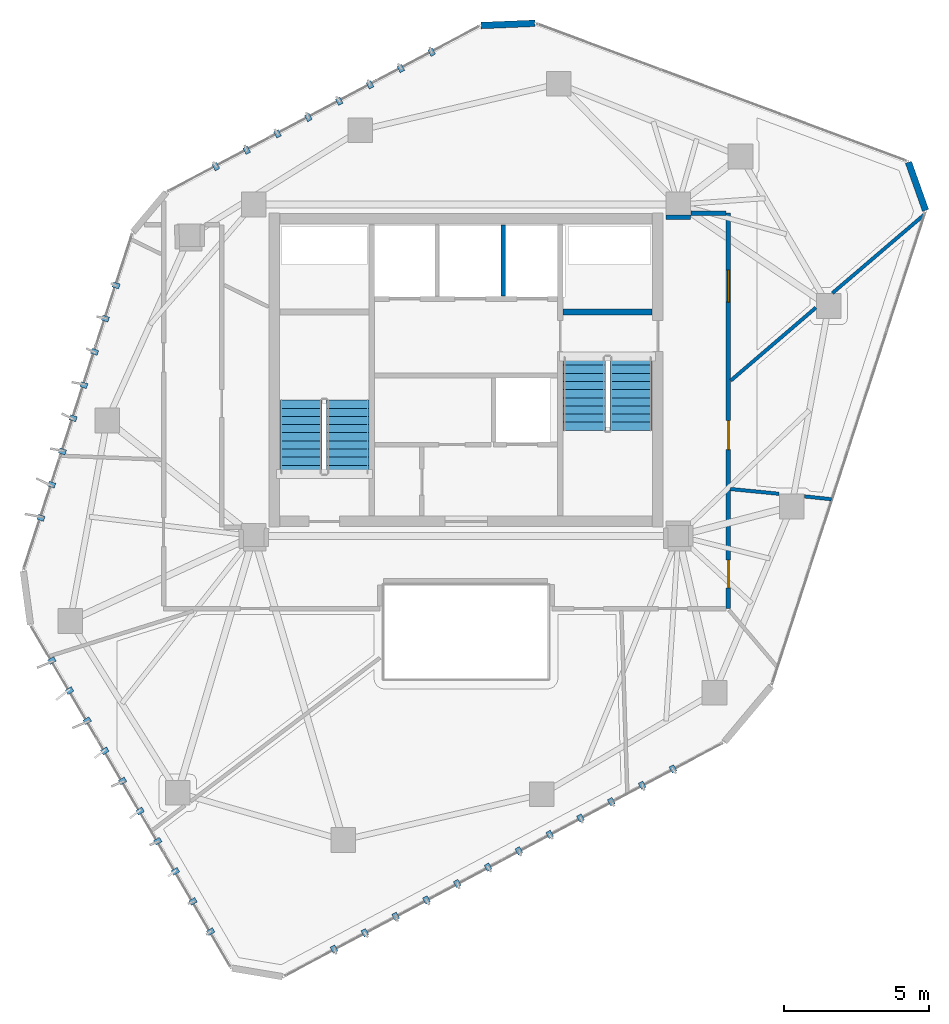
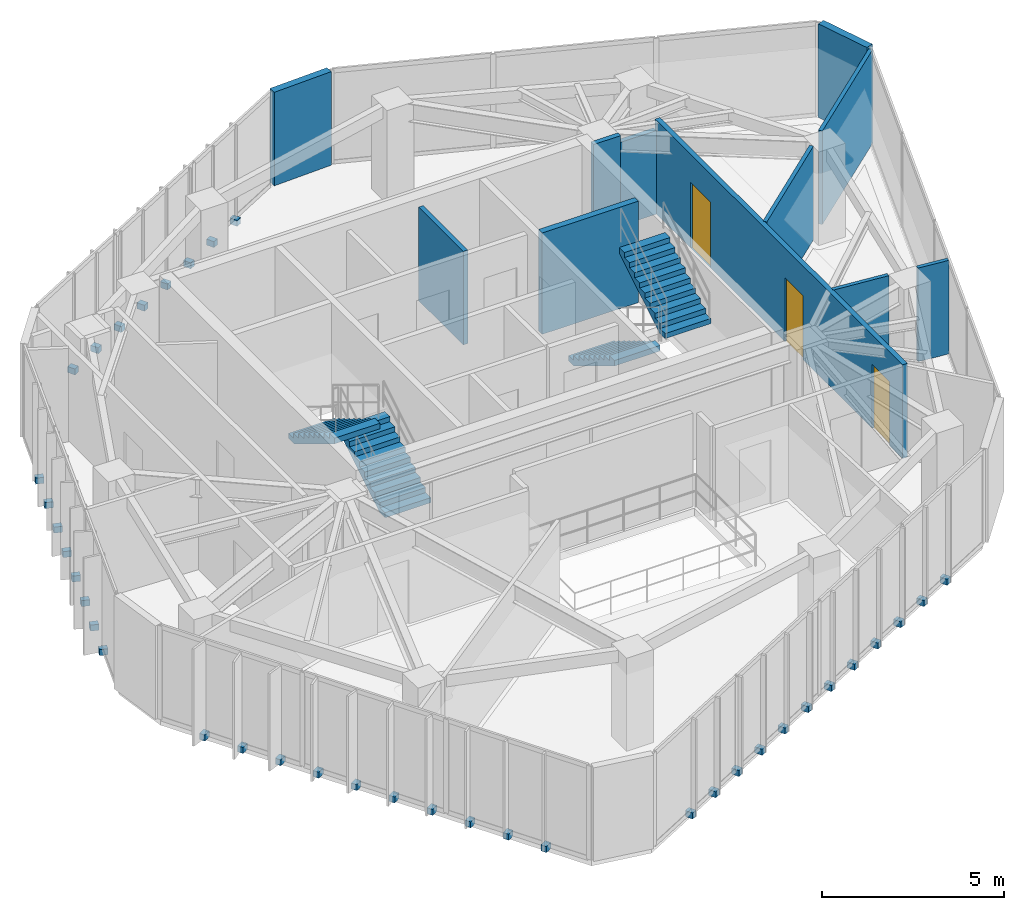
# One storey, part 18 of 20: 38 discrete accessories, 11 walls, 4 stair flights, 3 doors, 3 openings, 2 elements without a shape of their own.
"""IFC4 building model written with IfcOpenShell, lengths in metres."""

from ifc_helpers import new_model, si_unit, direction, frame, frame_2d, origin, origin_2d, place, context, subcontext, project, spatial, polyline, rectangle, outline, extrude, source, transform, mapped, material, layer, layer_set, type_object, type_shapes, element, fill, aggregate, save


model = new_model("IFC4")

# Units and contexts
model_context = context("Model", 3, precision=1e-05, world=origin(), true_north=direction((0.0, 1.0)))
body_context = subcontext(model_context, "Body", "Model", "MODEL_VIEW")
ifc_project = project(units=[si_unit("LENGTHUNIT", "METRE"), si_unit("AREAUNIT", "SQUARE_METRE"), si_unit("VOLUMEUNIT", "CUBIC_METRE"), si_unit("PLANEANGLEUNIT", "RADIAN"), si_unit("MASSUNIT", "GRAM", prefix="KILO")], contexts=[model_context])

# Site, building, storey
site_placement = place(None, origin())
site = spatial("IfcSite", under=ifc_project, at=site_placement, CompositionType="ELEMENT")
building_placement = place(site_placement, origin())
building = spatial("IfcBuilding", under=site, at=building_placement, Name="Talar Marvaseh", CompositionType="ELEMENT")
storey_placement = place(building_placement, frame((0.0, 0.0, 261.199951171875)))
storey = spatial("IfcBuildingStorey", under=building, at=storey_placement, Name="L69", CompositionType="ELEMENT", Elevation=261.199951171875)

# Walls
ifc_material_1 = material(Name="Precast concrete C45/55", Category="concrete")
ifc_layer_1 = layer(ifc_material_1, 0.22509765625)
ifc_layer_set_1 = layer_set([ifc_layer_1], Name="Precast concrete C45/55")
wall_type_1 = type_object("IfcWallType", Name="Chamfered Hexagonal Corner Pier Wall Z4 225", PredefinedType="SOLIDWALL", material=ifc_layer_set_1)
wall_1_placement = place(storey_placement, frame((26.5166015625, 43.052734375, 0.0), z_axis=(0.0, 0.0, 1.0), x_axis=(0.999141711826, 0.041422695344, 0.0)))
element("IfcWall", 1, at=wall_1_placement, inside=storey, type_object=wall_type_1, Name="L69 Chamfered Corner Limestone Pier 4", PredefinedType="SOLIDWALL", context=body_context, shape_type="SweptSolid", body=[
    extrude(rectangle(XDim=1.856689453125, YDim=0.22509765625, at=frame_2d((0.92822265625, 0.0))), origin(), (0.0, 0.0, 1.0), 3.14013671875),
])
wall_2_placement = place(storey_placement, frame((41.214599609375, 38.349365234375, 0.0), z_axis=(0.0, 0.0, 1.0), x_axis=(0.335078155014, -0.942190336414, 0.0)))
element("IfcWall", 2, at=wall_2_placement, inside=storey, type_object=wall_type_1, Name="L69 Chamfered Corner Limestone Pier 5", PredefinedType="SOLIDWALL", context=body_context, shape_type="SweptSolid", body=[
    extrude(rectangle(XDim=1.758056640625, YDim=0.22509765625, at=frame_2d((0.87890625, 0.0))), origin(), (0.0, 0.0, 1.0), 3.14013671875),
])

# Wall, openings, doors
ifc_material_2 = material(Name="Gypsum Board Partition Assembly")
ifc_layer_2 = layer(ifc_material_2, 0.155029296875)
ifc_layer_set_2 = layer_set([ifc_layer_2], Name="Gypsum Board Partition Assembly")
wall_type_2 = type_object("IfcWallType", Name="Corridor Fire-Rated Acoustic Partition 155", PredefinedType="PARTITIONING", material=ifc_layer_set_2)
wall_3_placement = place(storey_placement, frame((35.02001953125, 36.60009765625, 0.0), z_axis=(0.0, 0.0, 1.0), x_axis=(0.0, -1.0, 0.0)))
wall_3 = element("IfcWall", 3, at=wall_3_placement, inside=storey, type_object=wall_type_2, Name="L69 Interior Partition Wall", PredefinedType="PARTITIONING", context=body_context, shape_type="SweptSolid", body=[
    extrude(rectangle(XDim=13.60009765625, YDim=0.155029296875, at=frame_2d((6.800048828125, 0.0))), origin(), (0.0, 0.0, 1.0), 3.14013671875),
])
opening_1_placement = place(wall_3_placement, frame((11.932373046875, 0.0, 0.0)))
opening_1 = element("IfcOpeningElement", 4, at=opening_1_placement, cuts=wall_3, Name="Opening DR-WC095", PredefinedType="OPENING", context=body_context, shape_type="SweptSolid", body=[
    extrude(rectangle(XDim=0.949951171875, YDim=2.14990234375, at=frame_2d((0.47509765625, 1.074951171875))), frame((0.0, 0.08740234375, 0.0), z_axis=(0.0, -1.0, 0.0), x_axis=(1.0, 0.0, 0.0)), (0.0, 0.0, 1.0), 0.175048828125),
])
opening_2_placement = place(wall_3_placement, frame((7.131591796875, 0.0, 0.0)))
opening_2 = element("IfcOpeningElement", 5, at=opening_2_placement, cuts=wall_3, Name="Opening DR-RM100", PredefinedType="OPENING", context=body_context, shape_type="SweptSolid", body=[
    extrude(rectangle(XDim=1.0, YDim=2.14990234375, at=frame_2d((0.5, 1.074951171875))), frame((0.0, 0.08740234375, 0.0), z_axis=(0.0, -1.0, 0.0), x_axis=(1.0, 0.0, 0.0)), (0.0, 0.0, 1.0), 0.175048828125),
])
opening_3_placement = place(wall_3_placement, frame((1.955810546875, 0.0, 0.0)))
opening_3 = element("IfcOpeningElement", 6, at=opening_3_placement, cuts=wall_3, Name="Opening DR-RM110", PredefinedType="OPENING", context=body_context, shape_type="SweptSolid", body=[
    extrude(rectangle(XDim=1.10009765625, YDim=2.199951171875, at=frame_2d((0.550048828125, 1.10009765625))), frame((0.0, 0.08740234375, 0.0), z_axis=(0.0, -1.0, 0.0), x_axis=(1.0, 0.0, 0.0)), (0.0, 0.0, 1.0), 0.175048828125),
])
ifc_material_3 = material(Name="Acoustic Engineered Oak Timber", Category="wood")
door_type_1 = type_object("IfcDoorType", Name="Washroom and Service Room Door 950x2150", OperationType="NOTDEFINED", PredefinedType="DOOR", material=ifc_material_3)
shared_shape_1 = source(origin(), body_context, "Body", "SweptSolid", [
    extrude(rectangle(XDim=0.949951171875, YDim=2.14990234375, at=frame_2d((0.47509765625, 1.074951171875))), frame((0.0, 0.02490234375, 0.0), z_axis=(0.0, -1.0, 0.0), x_axis=(1.0, 0.0, 0.0)), (0.0, 0.0, 1.0), 0.050048828125),
])
type_shapes(door_type_1, [shared_shape_1])
door_1_placement = place(opening_1_placement, origin())
door_1 = element("IfcDoor", 7, at=door_1_placement, inside=storey, type_object=door_type_1, Name="L69 WC Public Washrooms Door", OperationType="SINGLE_SWING_RIGHT", OverallHeight=2.14990234375, OverallWidth=0.949951171875, PredefinedType="DOOR", context=body_context, shape_type="MappedRepresentation", body=[
    mapped(shared_shape_1, transform((0.0, 0.0, 0.0), x_axis=(1.0, 0.0, 0.0), y_axis=(0.0, 1.0, 0.0), z_axis=(0.0, 0.0, 1.0), scale=1.0)),
])
fill(opening_1, door_1)
door_type_2 = type_object("IfcDoorType", Name="Corridor Fire-Rated Gallery Door 1000x2150", OperationType="NOTDEFINED", PredefinedType="DOOR", material=ifc_material_3)
shared_shape_2 = source(origin(), body_context, "Body", "SweptSolid", [
    extrude(rectangle(XDim=1.0, YDim=2.14990234375, at=frame_2d((0.5, 1.074951171875))), frame((0.0, 0.02490234375, 0.0), z_axis=(0.0, -1.0, 0.0), x_axis=(1.0, 0.0, 0.0)), (0.0, 0.0, 1.0), 0.050048828125),
])
type_shapes(door_type_2, [shared_shape_2])
door_2_placement = place(opening_2_placement, origin())
door_2 = element("IfcDoor", 8, at=door_2_placement, inside=storey, type_object=door_type_2, Name="L69 Archival Facsimile Boutique Door", OperationType="SINGLE_SWING_LEFT", OverallHeight=2.14990234375, OverallWidth=1.0, PredefinedType="DOOR", context=body_context, shape_type="MappedRepresentation", body=[
    mapped(shared_shape_2, transform((0.0, 0.0, 0.0), x_axis=(1.0, 0.0, 0.0), y_axis=(0.0, 1.0, 0.0), z_axis=(0.0, 0.0, 1.0), scale=1.0)),
])
fill(opening_2, door_2)
door_type_3 = type_object("IfcDoorType", Name="Assembly and Reading Hall Door 1100x2200", OperationType="NOTDEFINED", PredefinedType="DOOR", material=ifc_material_3)
shared_shape_3 = source(origin(), body_context, "Body", "SweptSolid", [
    extrude(rectangle(XDim=1.10009765625, YDim=2.199951171875, at=frame_2d((0.550048828125, 1.10009765625))), frame((0.0, 0.02490234375, 0.0), z_axis=(0.0, -1.0, 0.0), x_axis=(1.0, 0.0, 0.0)), (0.0, 0.0, 1.0), 0.050048828125),
])
type_shapes(door_type_3, [shared_shape_3])
door_3_placement = place(opening_3_placement, origin())
door_3 = element("IfcDoor", 9, at=door_3_placement, inside=storey, type_object=door_type_3, Name="L69 Gallery Security Control Room Door", OperationType="SINGLE_SWING_RIGHT", OverallHeight=2.199951171875, OverallWidth=1.10009765625, PredefinedType="DOOR", context=body_context, shape_type="MappedRepresentation", body=[
    mapped(shared_shape_3, transform((0.0, 0.0, 0.0), x_axis=(1.0, 0.0, 0.0), y_axis=(0.0, 1.0, 0.0), z_axis=(0.0, 0.0, 1.0), scale=1.0)),
])
fill(opening_3, door_3)

# Walls
wall_4_placement = place(storey_placement, frame((32.8701171875, 36.464599609375, 0.0), z_axis=(0.0, 0.0, 1.0), x_axis=(0.999986873463, -0.005123758532, 0.0)))
element("IfcWall", 10, at=wall_4_placement, inside=storey, type_object=wall_type_2, Name="L69 Interior Partition Wall", PredefinedType="PARTITIONING", context=body_context, shape_type="SweptSolid", body=[
    extrude(rectangle(XDim=0.857666015625, YDim=0.155029296875, at=frame_2d((0.4287109375, 0.0))), origin(), (0.0, 0.0, 1.0), 3.14013671875),
])
wall_5_placement = place(storey_placement, frame((33.739990234375, 36.60009765625, 0.0), z_axis=(0.0, 0.0, 1.0), x_axis=(1.0, 0.0, 0.0)))
element("IfcWall", 11, at=wall_5_placement, inside=storey, type_object=wall_type_2, Name="L69 Interior Partition Wall", PredefinedType="PARTITIONING", context=body_context, shape_type="SweptSolid", body=[
    extrude(rectangle(XDim=1.196533203125, YDim=0.155029296875, at=frame_2d((0.59814453125, 0.0))), origin(), (0.0, 0.0, 1.0), 2.802001953125),
])
ifc_layer_3 = layer(ifc_material_2, 0.1201171875)
ifc_layer_set_3 = layer_set([ifc_layer_3], Name="Gypsum Board Partition Assembly")
wall_type_3 = type_object("IfcWallType", Name="Demountable Studio Room Partition 120", PredefinedType="PARTITIONING", material=ifc_layer_set_3)
wall_6_placement = place(storey_placement, frame((35.084716796875, 27.11376953125, 0.0), z_axis=(0.0, 0.0, 1.0), x_axis=(0.995253071633, -0.097320724434, 0.0)))
element("IfcWall", 12, at=wall_6_placement, inside=storey, type_object=wall_type_3, Name="L69 Interior Partition Wall", PredefinedType="PARTITIONING", context=body_context, shape_type="SweptSolid", body=[
    extrude(rectangle(XDim=1.683349609375, YDim=0.1201171875, at=frame_2d((0.841796875, 0.0))), origin(), (0.0, 0.0, 1.0), 3.14013671875),
])
wall_7_placement = place(storey_placement, frame((37.639892578125, 26.860107421875, 0.0), z_axis=(0.0, 0.0, 1.0), x_axis=(0.994361790374, -0.106040699, 0.0)))
element("IfcWall", 13, at=wall_7_placement, inside=storey, type_object=wall_type_3, Name="L69 Interior Partition Wall", PredefinedType="PARTITIONING", context=body_context, shape_type="SweptSolid", body=[
    extrude(rectangle(XDim=0.927734375, YDim=0.1201171875, at=frame_2d((0.4638671875, 0.0))), origin(), (0.0, 0.0, 1.0), 3.14013671875),
])
wall_8_placement = place(storey_placement, frame((35.103515625, 30.841552734375, 0.0), z_axis=(0.0, 0.0, 1.0), x_axis=(0.759243189264, 0.650807021748, 0.0)))
element("IfcWall", 14, at=wall_8_placement, inside=storey, type_object=wall_type_3, Name="L69 Interior Partition Wall", PredefinedType="PARTITIONING", context=body_context, shape_type="SweptSolid", body=[
    extrude(rectangle(XDim=3.8544921875, YDim=0.1201171875, at=frame_2d((1.92724609375, 0.0))), origin(), (0.0, 0.0, 1.0), 3.14013671875),
])
wall_9_placement = place(storey_placement, frame((38.60009765625, 33.85009765625, 0.0), z_axis=(0.0, 0.0, 1.0), x_axis=(0.760360359146, 0.649501442831, 0.0)))
element("IfcWall", 15, at=wall_9_placement, inside=storey, type_object=wall_type_3, Name="L69 Interior Partition Wall", PredefinedType="PARTITIONING", context=body_context, shape_type="SweptSolid", body=[
    extrude(rectangle(XDim=4.149169921875, YDim=0.1201171875, at=frame_2d((2.07470703125, 0.0))), origin(), (0.0, 0.0, 1.0), 3.14013671875),
])
ifc_layer_4 = layer(ifc_material_1, 0.14501953125)
ifc_layer_set_4 = layer_set([ifc_layer_4], Name="Precast concrete C45/55")
wall_type_4 = type_object("IfcWallType", Name="Fire-Rated Lift Divider Wall 145", PredefinedType="SOLIDWALL", material=ifc_layer_set_4)
wall_10_placement = place(storey_placement, frame((27.280029296875, 33.743408203125, 0.0), z_axis=(0.0, 0.0, 1.0), x_axis=(0.0, 1.0, 0.0)))
element("IfcWall", 16, at=wall_10_placement, inside=storey, type_object=wall_type_4, Name="L69 FFL-2/SVL-1 Divider", PredefinedType="SOLIDWALL", context=body_context, shape_type="SweptSolid", body=[
    extrude(rectangle(XDim=2.45654296875, YDim=0.14501953125, at=frame_2d((1.228271484375, 0.0))), origin(), (0.0, 0.0, 1.0), 3.14013671875),
])
ifc_material_4 = material(Name="Concrete C50/60", Category="concrete")
ifc_layer_5 = layer(ifc_material_4, 0.199951171875)
ifc_layer_set_5 = layer_set([ifc_layer_5], Name="Concrete C50/60")
wall_type_5 = type_object("IfcWallType", Name="Stair Shaft Structural Concrete Shear Wall 200", PredefinedType="SHEAR", material=ifc_layer_set_5)
wall_11_placement = place(storey_placement, frame((29.340087890625, 33.199951171875, 0.0), z_axis=(0.0, 0.0, 1.0), x_axis=(1.0, 0.0, 0.0)))
element("IfcWall", 17, at=wall_11_placement, inside=storey, type_object=wall_type_5, Name="L69 Stair ST-2 North Shear Wall", PredefinedType="SHEAR", context=body_context, shape_type="SweptSolid", body=[
    extrude(rectangle(XDim=3.059814453125, YDim=0.199951171875, at=frame_2d((1.52978515625, 0.0))), origin(), (0.0, 0.0, 1.0), 3.400146484375),
])

# Stair, stair flights
ifc_material_5 = material(Name="Concrete C40/50", Category="concrete")
stair_type = type_object("IfcStairType", Name="Reinforced Concrete High-Rise Exit Stair Type C", PredefinedType="HALF_TURN_STAIR", material=ifc_material_5)
stair_1_placement = place(storey_placement, origin())
stair_1 = element("IfcStair", 18, at=stair_1_placement, inside=storey, type_object=stair_type, Name="L69 Tower West Core Exit Stair", PredefinedType="HALF_TURN_STAIR")
ifc_layer_6 = layer(ifc_material_5, 0.159912109375)
ifc_layer_set_6 = layer_set([ifc_layer_6], Name="Concrete C40/50")
stair_flight_type = type_object("IfcStairFlightType", Name="Reinforced Concrete Straight Stair Flight 160", PredefinedType="STRAIGHT", material=ifc_layer_set_6)
stair_flight_1_placement = place(storey_placement, frame((21.93505859375, 27.64990234375, 0.0), z_axis=(0.0, 0.0, 1.0), x_axis=(0.0, 1.0, 0.0)))
stair_flight_1 = element("IfcStairFlight", 19, at=stair_flight_1_placement, type_object=stair_flight_type, Name="ST-1 flight 1", NumberOfRisers=10, NumberOfTreads=9, PredefinedType="STRAIGHT", RiserHeight=0.17, TreadLength=0.28, context=body_context, shape_type="SweptSolid", body=[
    extrude(outline(polyline([(0.0, 0.0), (0.0, 0.169921875), (0.280029296875, 0.169921875), (0.280029296875, 0.340087890625), (0.56005859375, 0.340087890625), (0.56005859375, 0.510009765625), (0.840087890625, 0.510009765625), (0.840087890625, 0.679931640625), (1.1201171875, 0.679931640625), (1.1201171875, 0.85009765625), (1.39990234375, 0.85009765625), (1.39990234375, 1.02001953125), (1.679931640625, 1.02001953125), (1.679931640625, 1.18994140625), (1.9599609375, 1.18994140625), (1.9599609375, 1.360107421875), (2.239990234375, 1.360107421875), (2.239990234375, 1.530029296875), (2.52001953125, 1.530029296875), (2.52001953125, 1.699951171875), (2.52001953125, 1.343017578125), (0.30810546875, 0.0), (0.0, 0.0)])), frame((0.0, 0.72509765625, 0.0), z_axis=(0.0, -1.0, 0.0), x_axis=(1.0, 0.0, 0.0)), (0.0, 0.0, 1.0), 1.449951171875),
])
stair_flight_2_placement = place(storey_placement, frame((20.324951171875, 30.169921875, 1.699951171875), z_axis=(0.0, 0.0, 1.0), x_axis=(0.0, -1.0, 0.0)))
stair_flight_2 = element("IfcStairFlight", 20, at=stair_flight_2_placement, type_object=stair_flight_type, Name="ST-1 flight 2", NumberOfRisers=10, NumberOfTreads=9, PredefinedType="STRAIGHT", RiserHeight=0.17, TreadLength=0.28, context=body_context, shape_type="SweptSolid", body=[
    extrude(outline(polyline([(0.0, 0.0), (0.0, 0.169921875), (0.280029296875, 0.169921875), (0.280029296875, 0.340087890625), (0.56005859375, 0.340087890625), (0.56005859375, 0.510009765625), (0.840087890625, 0.510009765625), (0.840087890625, 0.679931640625), (1.1201171875, 0.679931640625), (1.1201171875, 0.85009765625), (1.39990234375, 0.85009765625), (1.39990234375, 1.02001953125), (1.679931640625, 1.02001953125), (1.679931640625, 1.18994140625), (1.9599609375, 1.18994140625), (1.9599609375, 1.360107421875), (2.239990234375, 1.360107421875), (2.239990234375, 1.530029296875), (2.52001953125, 1.530029296875), (2.52001953125, 1.699951171875), (2.52001953125, 1.343017578125), (0.30810546875, 0.0), (0.0, 0.0)])), frame((0.0, 0.72509765625, 0.0), z_axis=(0.0, -1.0, 0.0), x_axis=(1.0, 0.0, 0.0)), (0.0, 0.0, 1.0), 1.449951171875),
])
aggregate(stair_1, [stair_flight_1, stair_flight_2])

stair_2_placement = place(storey_placement, origin())
stair_2 = element("IfcStair", 21, at=stair_2_placement, inside=storey, type_object=stair_type, Name="L69 Tower East Core Exit Stair", PredefinedType="HALF_TURN_STAIR")
stair_flight_3_placement = place(storey_placement, frame((30.06494140625, 31.64990234375, 0.0), z_axis=(0.0, 0.0, 1.0), x_axis=(0.0, -1.0, 0.0)))
stair_flight_3 = element("IfcStairFlight", 22, at=stair_flight_3_placement, type_object=stair_flight_type, Name="ST-2 flight 1", NumberOfRisers=10, NumberOfTreads=9, PredefinedType="STRAIGHT", RiserHeight=0.17, TreadLength=0.28, context=body_context, shape_type="SweptSolid", body=[
    extrude(outline(polyline([(0.0, 0.0), (0.0, 0.169921875), (0.280029296875, 0.169921875), (0.280029296875, 0.340087890625), (0.56005859375, 0.340087890625), (0.56005859375, 0.510009765625), (0.840087890625, 0.510009765625), (0.840087890625, 0.679931640625), (1.1201171875, 0.679931640625), (1.1201171875, 0.85009765625), (1.39990234375, 0.85009765625), (1.39990234375, 1.02001953125), (1.679931640625, 1.02001953125), (1.679931640625, 1.18994140625), (1.9599609375, 1.18994140625), (1.9599609375, 1.360107421875), (2.239990234375, 1.360107421875), (2.239990234375, 1.530029296875), (2.52001953125, 1.530029296875), (2.52001953125, 1.699951171875), (2.52001953125, 1.343017578125), (0.30810546875, 0.0), (0.0, 0.0)])), frame((0.0, 0.72509765625, 0.0), z_axis=(0.0, -1.0, 0.0), x_axis=(1.0, 0.0, 0.0)), (0.0, 0.0, 1.0), 1.449951171875),
])
stair_flight_4_placement = place(storey_placement, frame((31.675048828125, 29.1298828125, 1.699951171875), z_axis=(0.0, 0.0, 1.0), x_axis=(0.0, 1.0, 0.0)))
stair_flight_4 = element("IfcStairFlight", 23, at=stair_flight_4_placement, type_object=stair_flight_type, Name="ST-2 flight 2", NumberOfRisers=10, NumberOfTreads=9, PredefinedType="STRAIGHT", RiserHeight=0.17, TreadLength=0.28, context=body_context, shape_type="SweptSolid", body=[
    extrude(outline(polyline([(0.0, 0.0), (0.0, 0.169921875), (0.280029296875, 0.169921875), (0.280029296875, 0.340087890625), (0.56005859375, 0.340087890625), (0.56005859375, 0.510009765625), (0.840087890625, 0.510009765625), (0.840087890625, 0.679931640625), (1.1201171875, 0.679931640625), (1.1201171875, 0.85009765625), (1.39990234375, 0.85009765625), (1.39990234375, 1.02001953125), (1.679931640625, 1.02001953125), (1.679931640625, 1.18994140625), (1.9599609375, 1.18994140625), (1.9599609375, 1.360107421875), (2.239990234375, 1.360107421875), (2.239990234375, 1.530029296875), (2.52001953125, 1.530029296875), (2.52001953125, 1.699951171875), (2.52001953125, 1.343017578125), (0.30810546875, 0.0), (0.0, 0.0)])), frame((0.0, 0.72509765625, 0.0), z_axis=(0.0, -1.0, 0.0), x_axis=(1.0, 0.0, 0.0)), (0.0, 0.0, 1.0), 1.449951171875),
])
aggregate(stair_2, [stair_flight_3, stair_flight_4])

# Discrete accessories
ifc_material_6 = material(Name="Stainless Steel Grade 316", Category="steel")
discrete_accessory_type = type_object("IfcDiscreteAccessoryType", Name="Stainless Slab-Edge Fin Mounting Bracket", PredefinedType="BRACKET", material=ifc_material_6)
shared_shape_4 = source(origin(), body_context, "Body", "SweptSolid", [
    extrude(rectangle(XDim=0.239990234375, YDim=0.179931640625, at=origin_2d()), origin(), (0.0, 0.0, 1.0), 0.199951171875),
])
type_shapes(discrete_accessory_type, [shared_shape_4])
for number, where, z_axis, x_axis, name in (
    (24, (17.216796875, 11.89453125, -0.1796875), (0.0, 0.0, 1.0), (-0.862954938496, -0.505280886365, 0.0), "L69 Vertical Fin Slab-Edge Bracket"),
    (25, (16.610595703125, 12.93017578125, -0.1796875), (0.0, 0.0, 1.0), (-0.862954938496, -0.505280886365, 0.0), "L69 Vertical Fin Slab-Edge Bracket"),
    (26, (16.00439453125, 13.9658203125, -0.1796875), (0.0, 0.0, 1.0), (-0.862954938496, -0.505280886365, 0.0), "L69 Vertical Fin Slab-Edge Bracket"),
    (27, (15.398193359375, 15.00146484375, -0.1796875), (0.0, 0.0, 1.0), (-0.862954938496, -0.505280886365, 0.0), "L69 Vertical Fin Slab-Edge Bracket"),
    (28, (14.7919921875, 16.037109375, -0.1796875), (0.0, 0.0, 1.0), (-0.862954938496, -0.505280886365, 0.0), "L69 Vertical Fin Slab-Edge Bracket"),
    (29, (14.185546875, 17.072509765625, -0.1796875), (0.0, 0.0, 1.0), (-0.862954938496, -0.505280886365, 0.0), "L69 Vertical Fin Slab-Edge Bracket"),
    (30, (13.579345703125, 18.108154296875, -0.1796875), (0.0, 0.0, 1.0), (-0.862954938496, -0.505280886365, 0.0), "L69 Vertical Fin Slab-Edge Bracket"),
    (31, (12.97314453125, 19.143798828125, -0.1796875), (0.0, 0.0, 1.0), (-0.862954938496, -0.505280886365, 0.0), "L69 Vertical Fin Slab-Edge Bracket"),
    (32, (12.36669921875, 20.179443359375, -0.1796875), (0.0, 0.0, 1.0), (-0.862954938496, -0.505280886365, 0.0), "L69 Vertical Fin Slab-Edge Bracket"),
    (33, (11.760498046875, 21.21484375, -0.1796875), (0.0, 0.0, 1.0), (-0.862954938496, -0.505280886365, 0.0), "L69 Vertical Fin Slab-Edge Bracket"),
    (34, (11.380615234375, 26.12109375, -0.1796875), (0.0, 0.0, 1.0), (-0.951433341896, 0.30785482931, 0.0), "L69 Vertical Fin Slab-Edge Bracket"),
    (35, (11.75, 27.262939453125, -0.1796875), (0.0, 0.0, 1.0), (-0.951433341896, 0.30785482931, 0.0), "L69 Vertical Fin Slab-Edge Bracket"),
    (36, (12.119384765625, 28.404541015625, -0.1796875), (0.0, 0.0, 1.0), (-0.951433341896, 0.30785482931, 0.0), "L69 Vertical Fin Slab-Edge Bracket"),
    (37, (12.489013671875, 29.54638671875, -0.1796875), (0.0, 0.0, 1.0), (-0.951433341896, 0.30785482931, 0.0), "L69 Vertical Fin Slab-Edge Bracket"),
    (38, (12.8583984375, 30.68798828125, -0.1796875), (0.0, 0.0, 1.0), (-0.951433341896, 0.30785482931, 0.0), "L69 Vertical Fin Slab-Edge Bracket"),
    (39, (13.227783203125, 31.82958984375, -0.1796875), (0.0, 0.0, 1.0), (-0.951433341896, 0.30785482931, 0.0), "L69 Vertical Fin Slab-Edge Bracket"),
    (40, (13.597412109375, 32.971435546875, -0.1796875), (0.0, 0.0, 1.0), (-0.951433341896, 0.30785482931, 0.0), "L69 Vertical Fin Slab-Edge Bracket"),
    (41, (13.966796875, 34.113037109375, -0.1796875), (0.0, 0.0, 1.0), (-0.951433341896, 0.30785482931, 0.0), "L69 Vertical Fin Slab-Edge Bracket"),
    (42, (17.397705078125, 38.2021484375, -0.1796875), (0.0, 0.0, 1.0), (-0.468392488698, 0.883520501477, 0.0), "L69 Vertical Fin Slab-Edge Bracket"),
    (43, (18.4580078125, 38.76416015625, -0.1796875), (0.0, 0.0, 1.0), (-0.468392488698, 0.883520501477, 0.0), "L69 Vertical Fin Slab-Edge Bracket"),
    (44, (19.518310546875, 39.326416015625, -0.1796875), (0.0, 0.0, 1.0), (-0.468392488698, 0.883520501477, 0.0), "L69 Vertical Fin Slab-Edge Bracket"),
    (45, (20.578369140625, 39.888427734375, -0.1796875), (0.0, 0.0, 1.0), (-0.468392488698, 0.883520501477, 0.0), "L69 Vertical Fin Slab-Edge Bracket"),
    (46, (21.638671875, 40.450439453125, -0.1796875), (0.0, 0.0, 1.0), (-0.468392488698, 0.883520501477, 0.0), "L69 Vertical Fin Slab-Edge Bracket"),
    (47, (22.69873046875, 41.0126953125, -0.1796875), (0.0, 0.0, 1.0), (-0.468392488698, 0.883520501477, 0.0), "L69 Vertical Fin Slab-Edge Bracket"),
    (48, (23.759033203125, 41.57470703125, -0.1796875), (0.0, 0.0, 1.0), (-0.468392488698, 0.883520501477, 0.0), "L69 Vertical Fin Slab-Edge Bracket"),
    (49, (24.819091796875, 42.136962890625, -0.1796875), (0.0, 0.0, 1.0), (-0.468392488698, 0.883520501477, 0.0), "L69 Vertical Fin Slab-Edge Bracket"),
    (50, (33.115234375, 17.489013671875, -0.1796875), (0.0, 0.0, 1.0), (0.469625659061, -0.882865641166, 0.0), "L69 Vertical Fin Slab-Edge Bracket"),
    (51, (32.055908203125, 16.925537109375, -0.1796875), (0.0, 0.0, 1.0), (0.469625659061, -0.882865641166, 0.0), "L69 Vertical Fin Slab-Edge Bracket"),
    (52, (30.996337890625, 16.362060546875, -0.1796875), (0.0, 0.0, 1.0), (0.469625659061, -0.882865641166, 0.0), "L69 Vertical Fin Slab-Edge Bracket"),
    (53, (29.93701171875, 15.798583984375, -0.1796875), (0.0, 0.0, 1.0), (0.469625659061, -0.882865641166, 0.0), "L69 Vertical Fin Slab-Edge Bracket"),
    (54, (28.87744140625, 15.235107421875, -0.1796875), (0.0, 0.0, 1.0), (0.469625659061, -0.882865641166, 0.0), "L69 Vertical Fin Slab-Edge Bracket"),
    (55, (27.818115234375, 14.67138671875, -0.1796875), (0.0, 0.0, 1.0), (0.469625659061, -0.882865641166, 0.0), "L69 Vertical Fin Slab-Edge Bracket"),
    (56, (26.758544921875, 14.10791015625, -0.1796875), (0.0, 0.0, 1.0), (0.469625659061, -0.882865641166, 0.0), "L69 Vertical Fin Slab-Edge Bracket"),
    (57, (25.69921875, 13.54443359375, -0.1796875), (0.0, 0.0, 1.0), (0.469625659061, -0.882865641166, 0.0), "L69 Vertical Fin Slab-Edge Bracket"),
    (58, (24.6396484375, 12.98095703125, -0.1796875), (0.0, 0.0, 1.0), (0.469625659061, -0.882865641166, 0.0), "L69 Vertical Fin Slab-Edge Bracket"),
    (59, (23.580078125, 12.417236328125, -0.1796875), (0.0, 0.0, 1.0), (0.469625659061, -0.882865641166, 0.0), "L69 Vertical Fin Slab-Edge Bracket"),
    (60, (22.520751953125, 11.853759765625, -0.1796875), (0.0, 0.0, 1.0), (0.469625659061, -0.882865641166, 0.0), "L69 Vertical Fin Slab-Edge Bracket"),
    (61, (21.461181640625, 11.290283203125, -0.1796875), (0.0, 0.0, 1.0), (0.469625659061, -0.882865641166, 0.0), "L69 Vertical Fin Slab-Edge Bracket"),
):
    element("IfcDiscreteAccessory", number, at=place(storey_placement, frame(where, z_axis=z_axis, x_axis=x_axis)), inside=storey, type_object=discrete_accessory_type, Name=name, PredefinedType="BRACKET", context=body_context, shape_type="MappedRepresentation", body=[
        mapped(shared_shape_4, transform((0.0, 0.0, 0.0), x_axis=(1.0, 0.0, 0.0), y_axis=(0.0, 1.0, 0.0), z_axis=(0.0, 0.0, 1.0), scale=1.0)),
    ])

save(model, "model.ifc")
